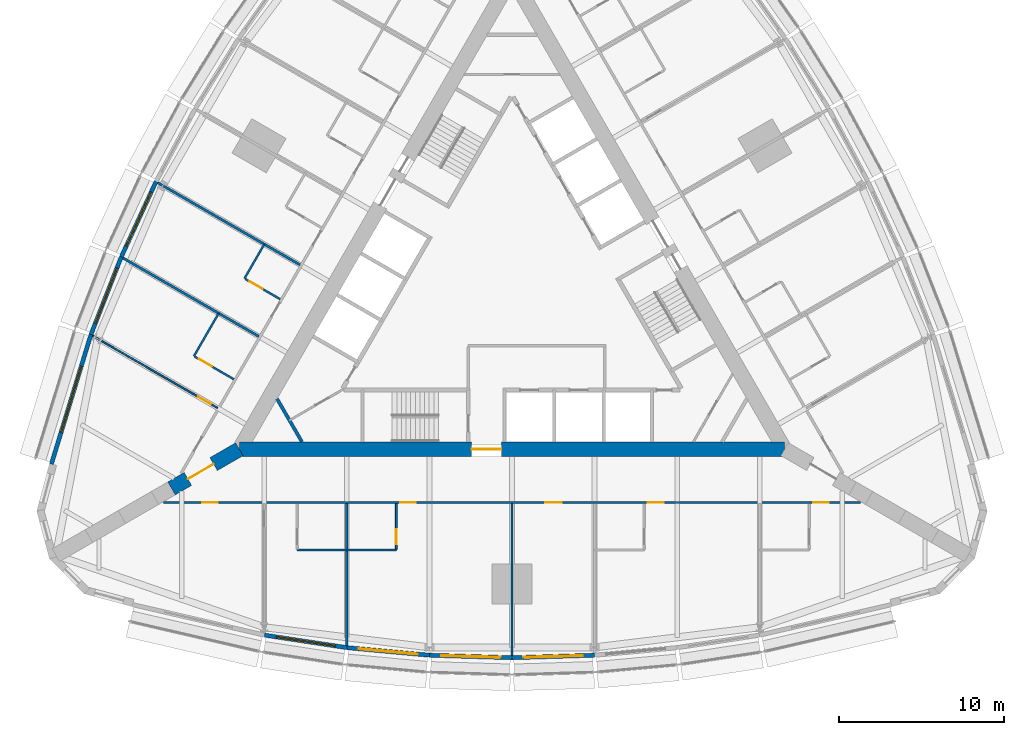
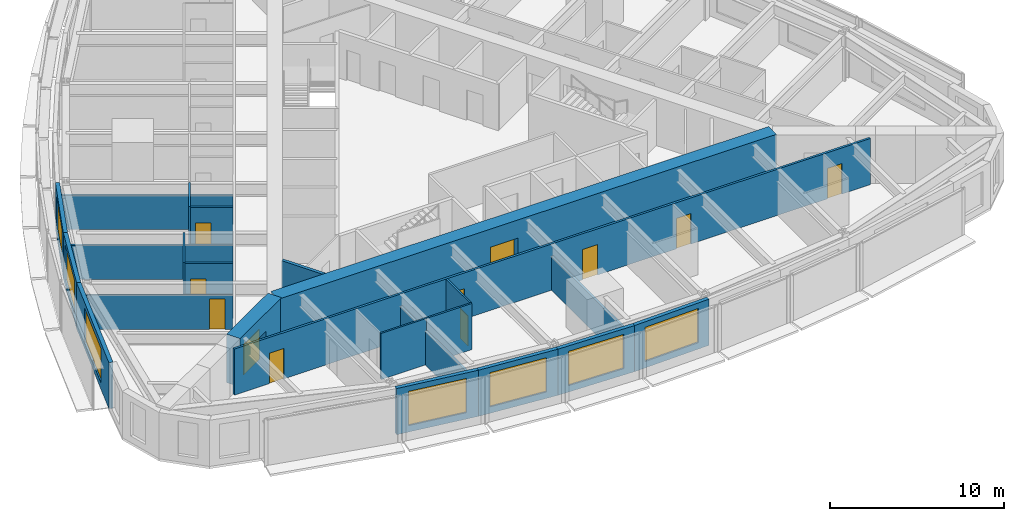
# One storey, part 8 of 14: 23 walls, 11 doors, 7 windows, 18 openings.
"""IFC4 building model written with IfcOpenShell, lengths in metres."""

from ifc_helpers import new_model, si_unit, direction, frame, frame_2d, origin, place, context, subcontext, project, spatial, rectangle, extrude, material, layer, layer_set, type_object, element, fill, save


model = new_model("IFC4")

# Units and contexts
model_context = context("Model", 3, precision=1e-05, world=origin(), true_north=direction((0.0, 1.0)))
body_context = subcontext(model_context, "Body", "Model", "MODEL_VIEW")
ifc_project = project(units=[si_unit("LENGTHUNIT", "METRE"), si_unit("AREAUNIT", "SQUARE_METRE"), si_unit("VOLUMEUNIT", "CUBIC_METRE"), si_unit("PLANEANGLEUNIT", "RADIAN"), si_unit("MASSUNIT", "GRAM", prefix="KILO")], contexts=[model_context])

# Site, building, storey
site_placement = place(None, origin())
site = spatial("IfcSite", under=ifc_project, at=site_placement, CompositionType="ELEMENT")
building_placement = place(site_placement, origin())
building = spatial("IfcBuilding", under=site, at=building_placement, Name="Trikona Tower", CompositionType="ELEMENT")
storey_placement = place(building_placement, frame((0.0, 0.0, 55.699951171875)))
storey = spatial("IfcBuildingStorey", under=building, at=storey_placement, Name="L13", CompositionType="ELEMENT", Elevation=55.699951171875)

# Walls
ifc_material_1 = material(Name="Metal stud and cement board", Category="gypsum")
ifc_layer_1 = layer(ifc_material_1, 0.1201171875)
ifc_layer_set_1 = layer_set([ifc_layer_1], Name="Bathroom wall 120")
wall_type_1 = type_object("IfcWallType", Name="Bathroom wall 120", PredefinedType="PLUMBINGWALL", material=ifc_layer_set_1)
for number, where, z_axis, x_axis, name in (
    (1, (-13.0, -15.626220703125, 0.0), (0.0, 0.0, 1.0), (1.0, 0.0, 0.0), "Bathroom wall 1301.1"),
    (2, (-10.0, -15.626220703125, 0.0), (0.0, 0.0, 1.0), (1.0, 0.0, 0.0), "Bathroom wall 1302"),
):
    element("IfcWall", number, at=place(storey_placement, frame(where, z_axis=z_axis, x_axis=x_axis)), inside=storey, type_object=wall_type_1, Name=name, PredefinedType="PLUMBINGWALL", context=body_context, shape_type="SweptSolid", body=[
        extrude(rectangle(XDim=3.0, YDim=0.1201171875, at=frame_2d((1.5, 0.0))), origin(), (0.0, 0.0, 1.0), 3.235107421875),
    ])

# Wall, opening, door
wall_1_placement = place(storey_placement, frame((-7.0, -12.826416015625, 0.0), z_axis=(0.0, 0.0, 1.0), x_axis=(0.0, -1.0, 0.0)))
wall_1 = element("IfcWall", 3, at=wall_1_placement, inside=storey, type_object=wall_type_1, Name="Bathroom wall 1302", PredefinedType="PLUMBINGWALL", context=body_context, shape_type="SweptSolid", body=[
    extrude(rectangle(XDim=2.739990234375, YDim=0.1201171875, at=frame_2d((1.3701171875, 0.0))), origin(), (0.0, 0.0, 1.0), 3.235107421875),
])
opening_1_placement = place(wall_1_placement, frame((1.550048828125, 0.0, 0.0)))
opening_1 = element("IfcOpeningElement", 4, at=opening_1_placement, cuts=wall_1, Name="Opening D2", PredefinedType="OPENING", context=body_context, shape_type="SweptSolid", body=[
    extrude(rectangle(XDim=0.89990234375, YDim=2.1298828125, at=frame_2d((0.449951171875, 1.06494140625))), frame((0.0, 0.070068359375, 0.0), z_axis=(0.0, -1.0, 0.0), x_axis=(1.0, 0.0, 0.0)), (0.0, 0.0, 1.0), 0.14013671875),
])
ifc_material_2 = material(Name="Steel door frame with solid-core timber leaf", Category="steel")
door_type_1 = type_object("IfcDoorType", Name="Bathroom door 900x2130", OperationType="SLIDING_TO_LEFT", PredefinedType="DOOR", material=ifc_material_2)
door_1_placement = place(opening_1_placement, origin())
door_1 = element("IfcDoor", 5, at=door_1_placement, inside=storey, type_object=door_type_1, Name="Bathroom door 1302", OperationType="SLIDING_TO_LEFT", OverallHeight=2.1298828125, OverallWidth=0.89990234375, PredefinedType="DOOR", context=body_context, shape_type="SweptSolid", body=[
    extrude(rectangle(XDim=0.89990234375, YDim=2.1298828125, at=frame_2d((0.449951171875, 1.06494140625))), frame((0.0, 0.02490234375, 0.0), z_axis=(0.0, -1.0, 0.0), x_axis=(1.0, 0.0, 0.0)), (0.0, 0.0, 1.0), 0.050048828125),
])
fill(opening_1, door_1)

# Wall
wall_2_placement = place(storey_placement, frame((-14.993408203125, 2.883056640625, 0.0), z_axis=(0.0, 0.0, 1.0), x_axis=(-0.500077600433, -0.865980596518, 0.0)))
element("IfcWall", 6, at=wall_2_placement, inside=storey, type_object=wall_type_1, Name="Bathroom wall 1315", PredefinedType="PLUMBINGWALL", context=body_context, shape_type="SweptSolid", body=[
    extrude(rectangle(XDim=2.39990234375, YDim=0.1201171875, at=frame_2d((1.199951171875, 0.0))), origin(), (0.0, 0.0, 1.0), 3.235107421875),
])

# Wall, opening, door
wall_3_placement = place(storey_placement, frame((-14.028564453125, -0.4453125, 0.0), z_axis=(0.0, 0.0, 1.0), x_axis=(-0.866023955769, 0.500002508028, 0.0)))
wall_3 = element("IfcWall", 7, at=wall_3_placement, inside=storey, type_object=wall_type_1, Name="Bathroom wall 1315", PredefinedType="PLUMBINGWALL", context=body_context, shape_type="SweptSolid", body=[
    extrude(rectangle(XDim=2.43994140625, YDim=0.1201171875, at=frame_2d((1.219970703125, 0.0))), origin(), (0.0, 0.0, 1.0), 3.235107421875),
])
opening_2_placement = place(wall_3_placement, frame((1.25, 0.0, 0.0)))
opening_2 = element("IfcOpeningElement", 8, at=opening_2_placement, cuts=wall_3, Name="Opening D2", PredefinedType="OPENING", context=body_context, shape_type="SweptSolid", body=[
    extrude(rectangle(XDim=0.89990234375, YDim=2.1298828125, at=frame_2d((0.449951171875, 1.06494140625))), frame((0.0, 0.070068359375, 0.0), z_axis=(0.0, -1.0, 0.0), x_axis=(1.0, 0.0, 0.0)), (0.0, 0.0, 1.0), 0.14013671875),
])
door_2_placement = place(opening_2_placement, origin())
door_2 = element("IfcDoor", 9, at=door_2_placement, inside=storey, type_object=door_type_1, Name="Bathroom door 1315", OperationType="SLIDING_TO_LEFT", OverallHeight=2.1298828125, OverallWidth=0.89990234375, PredefinedType="DOOR", context=body_context, shape_type="SweptSolid", body=[
    extrude(rectangle(XDim=0.89990234375, YDim=2.1298828125, at=frame_2d((0.449951171875, 1.06494140625))), frame((0.0, 0.02490234375, 0.0), z_axis=(0.0, -1.0, 0.0), x_axis=(1.0, 0.0, 0.0)), (0.0, 0.0, 1.0), 0.050048828125),
])
fill(opening_2, door_2)

# Wall
wall_4_placement = place(storey_placement, frame((-17.75341796875, -1.297119140625, 0.0), z_axis=(0.0, 0.0, 1.0), x_axis=(-0.499990139034, -0.866031096941, 0.0)))
element("IfcWall", 10, at=wall_4_placement, inside=storey, type_object=wall_type_1, Name="Bathroom wall 1316.1", PredefinedType="PLUMBINGWALL", context=body_context, shape_type="SweptSolid", body=[
    extrude(rectangle(XDim=3.0, YDim=0.1201171875, at=frame_2d((1.5, 0.0))), origin(), (0.0, 0.0, 1.0), 3.235107421875),
])

# Wall, opening, door
wall_5_placement = place(storey_placement, frame((-16.82861328125, -5.295166015625, 0.0), z_axis=(0.0, 0.0, 1.0), x_axis=(-0.866035715982, 0.499982138324, 0.0)))
wall_5 = element("IfcWall", 11, at=wall_5_placement, inside=storey, type_object=wall_type_1, Name="Bathroom wall 1316.1", PredefinedType="PLUMBINGWALL", context=body_context, shape_type="SweptSolid", body=[
    extrude(rectangle(XDim=2.73974609375, YDim=0.1201171875, at=frame_2d((1.369873046875, 0.0))), origin(), (0.0, 0.0, 1.0), 3.235107421875),
])
opening_3_placement = place(wall_5_placement, frame((1.550048828125, 0.0, 0.0)))
opening_3 = element("IfcOpeningElement", 12, at=opening_3_placement, cuts=wall_5, Name="Opening D2", PredefinedType="OPENING", context=body_context, shape_type="SweptSolid", body=[
    extrude(rectangle(XDim=0.89990234375, YDim=2.1298828125, at=frame_2d((0.449951171875, 1.06494140625))), frame((0.0, 0.070068359375, 0.0), z_axis=(0.0, -1.0, 0.0), x_axis=(1.0, 0.0, 0.0)), (0.0, 0.0, 1.0), 0.14013671875),
])
door_3_placement = place(opening_3_placement, origin())
door_3 = element("IfcDoor", 13, at=door_3_placement, inside=storey, type_object=door_type_1, Name="Bathroom door 1316.1", OperationType="SLIDING_TO_LEFT", OverallHeight=2.1298828125, OverallWidth=0.89990234375, PredefinedType="DOOR", context=body_context, shape_type="SweptSolid", body=[
    extrude(rectangle(XDim=0.89990234375, YDim=2.1298828125, at=frame_2d((0.449951171875, 1.06494140625))), frame((0.0, 0.02490234375, 0.0), z_axis=(0.0, -1.0, 0.0), x_axis=(1.0, 0.0, 0.0)), (0.0, 0.0, 1.0), 0.050048828125),
])
fill(opening_3, door_3)

ifc_material_3 = material(Name="Concrete f'c 10000 psi", Category="concrete")
ifc_layer_2 = layer(ifc_material_3, 0.89990234375)
ifc_layer_set_2 = layer_set([ifc_layer_2], Name="Buttress wall 900")
wall_type_2 = type_object("IfcWallType", Name="Buttress wall 900", PredefinedType="SHEAR", material=ifc_layer_set_2)
wall_6_placement = place(storey_placement, frame((-16.5, -9.5263671875, 0.0), z_axis=(0.0, 0.0, 1.0), x_axis=(-0.866031398331, -0.499989616998, 0.0)))
wall_6 = element("IfcWall", 14, at=wall_6_placement, inside=storey, type_object=wall_type_2, Name="Buttress wall 3", PredefinedType="SHEAR", context=body_context, shape_type="SweptSolid", body=[
    extrude(rectangle(XDim=4.74609375, YDim=0.89990234375, at=frame_2d((2.373046875, 0.0))), origin(), (0.0, 0.0, 1.0), 3.400146484375),
])
opening_4_placement = place(wall_6_placement, frame((1.800048828125, 0.0, 0.0)))
opening_4 = element("IfcOpeningElement", 15, at=opening_4_placement, cuts=wall_6, Name="Opening D10", PredefinedType="OPENING", context=body_context, shape_type="SweptSolid", body=[
    extrude(rectangle(XDim=1.800048828125, YDim=2.1298828125, at=frame_2d((0.89990234375, 1.06494140625))), frame((0.0, 0.4599609375, 0.0), z_axis=(0.0, -1.0, 0.0), x_axis=(1.0, 0.0, 0.0)), (0.0, 0.0, 1.0), 0.919921875),
])
ifc_material_4 = material(Name="Hollow metal door and frame", Category="steel")
door_type_2 = type_object("IfcDoorType", Name="Cross-corridor door pair 1800x2130", OperationType="DOUBLE_DOOR_DOUBLE_SWING", PredefinedType="DOOR", material=ifc_material_4)
door_4_placement = place(opening_4_placement, origin())
door_4 = element("IfcDoor", 16, at=door_4_placement, inside=storey, type_object=door_type_2, Name="Cross-corridor door 3", OperationType="DOUBLE_DOOR_DOUBLE_SWING", OverallHeight=2.1298828125, OverallWidth=1.800048828125, PredefinedType="DOOR", context=body_context, shape_type="SweptSolid", body=[
    extrude(rectangle(XDim=1.800048828125, YDim=2.1298828125, at=frame_2d((0.89990234375, 1.06494140625))), frame((0.0, 0.02490234375, 0.0), z_axis=(0.0, -1.0, 0.0), x_axis=(1.0, 0.0, 0.0)), (0.0, 0.0, 1.0), 0.050048828125),
])
fill(opening_4, door_4)

ifc_material_5 = material(Name="Concrete f'c 10000 psi", Category="concrete")
ifc_layer_3 = layer(ifc_material_5, 0.89990234375)
ifc_layer_set_3 = layer_set([ifc_layer_3], Name="Core wall 900")
wall_type_3 = type_object("IfcWallType", Name="Core wall 900", PredefinedType="SHEAR", material=ifc_layer_set_3)
wall_7_placement = place(storey_placement, frame((-16.5, -9.5263671875, 0.0), z_axis=(0.0, 0.0, 1.0), x_axis=(1.0, 0.0, 0.0)))
wall_7 = element("IfcWall", 17, at=wall_7_placement, inside=storey, type_object=wall_type_3, Name="Core wall A", PredefinedType="SHEAR", context=body_context, shape_type="SweptSolid", body=[
    extrude(rectangle(XDim=33.0, YDim=0.89990234375, at=frame_2d((16.5, 0.0))), origin(), (0.0, 0.0, 1.0), 3.400146484375),
])
opening_5_placement = place(wall_7_placement, frame((14.050048828125, 0.0, 0.0)))
opening_5 = element("IfcOpeningElement", 18, at=opening_5_placement, cuts=wall_7, Name="Opening D6", PredefinedType="OPENING", context=body_context, shape_type="SweptSolid", body=[
    extrude(rectangle(XDim=1.800048828125, YDim=2.1298828125, at=frame_2d((0.89990234375, 1.06494140625))), frame((0.0, 0.4599609375, 0.0), z_axis=(0.0, -1.0, 0.0), x_axis=(1.0, 0.0, 0.0)), (0.0, 0.0, 1.0), 0.919921875),
])
ifc_material_6 = material(Name="Hollow metal door and frame", Category="steel")
door_type_3 = type_object("IfcDoorType", Name="Lobby door pair 1800x2130", OperationType="DOUBLE_DOOR_SINGLE_SWING", PredefinedType="DOOR", material=ifc_material_6)
door_5_placement = place(opening_5_placement, origin())
door_5 = element("IfcDoor", 19, at=door_5_placement, inside=storey, type_object=door_type_3, Name="Fire service lift lobby door", OperationType="DOUBLE_DOOR_SINGLE_SWING", OverallHeight=2.1298828125, OverallWidth=1.800048828125, PredefinedType="DOOR", context=body_context, shape_type="SweptSolid", body=[
    extrude(rectangle(XDim=1.800048828125, YDim=2.1298828125, at=frame_2d((0.89990234375, 1.06494140625))), frame((0.0, 0.02490234375, 0.0), z_axis=(0.0, -1.0, 0.0), x_axis=(1.0, 0.0, 0.0)), (0.0, 0.0, 1.0), 0.050048828125),
])
fill(opening_5, door_5)

# Wall, openings, doors
ifc_material_7 = material(Name="Metal stud and gypsum board, 1-hour", Category="gypsum")
ifc_layer_4 = layer(ifc_material_7, 0.14990234375)
ifc_layer_set_4 = layer_set([ifc_layer_4], Name="Corridor wall 150")
wall_type_4 = type_object("IfcWallType", Name="Corridor wall 150", PredefinedType="PARTITIONING", material=ifc_layer_set_4)
wall_8_placement = place(storey_placement, frame((-21.0859375, -12.751220703125, 0.0), z_axis=(0.0, 0.0, 1.0), x_axis=(1.0, 0.0, 0.0)))
wall_8 = element("IfcWall", 20, at=wall_8_placement, inside=storey, type_object=wall_type_4, Name="Corridor wall L13-1", PredefinedType="PARTITIONING", context=body_context, shape_type="SweptSolid", body=[
    extrude(rectangle(XDim=42.171875, YDim=0.14990234375, at=frame_2d((21.0859375, 0.0))), origin(), (0.0, 0.0, 1.0), 3.235107421875),
])
opening_6_placement = place(wall_8_placement, frame((2.337646484375, 0.0, 0.0)))
opening_6 = element("IfcOpeningElement", 21, at=opening_6_placement, cuts=wall_8, Name="Opening D1", PredefinedType="OPENING", context=body_context, shape_type="SweptSolid", body=[
    extrude(rectangle(XDim=0.949951171875, YDim=2.1298828125, at=frame_2d((0.47509765625, 1.06494140625))), frame((0.0, 0.0849609375, 0.0), z_axis=(0.0, -1.0, 0.0), x_axis=(1.0, 0.0, 0.0)), (0.0, 0.0, 1.0), 0.169921875),
])
opening_7_placement = place(wall_8_placement, frame((14.310791015625, 0.0, 0.0)))
opening_7 = element("IfcOpeningElement", 22, at=opening_7_placement, cuts=wall_8, Name="Opening D1", PredefinedType="OPENING", context=body_context, shape_type="SweptSolid", body=[
    extrude(rectangle(XDim=0.949951171875, YDim=2.1298828125, at=frame_2d((0.47509765625, 1.06494140625))), frame((0.0, 0.0849609375, 0.0), z_axis=(0.0, -1.0, 0.0), x_axis=(1.0, 0.0, 0.0)), (0.0, 0.0, 1.0), 0.169921875),
])
opening_8_placement = place(wall_8_placement, frame((23.0859375, 0.0, 0.0)))
opening_8 = element("IfcOpeningElement", 23, at=opening_8_placement, cuts=wall_8, Name="Opening D3", PredefinedType="OPENING", context=body_context, shape_type="SweptSolid", body=[
    extrude(rectangle(XDim=1.0, YDim=2.1298828125, at=frame_2d((0.5, 1.06494140625))), frame((0.0, 0.0849609375, 0.0), z_axis=(0.0, -1.0, 0.0), x_axis=(1.0, 0.0, 0.0)), (0.0, 0.0, 1.0), 0.169921875),
])
opening_9_placement = place(wall_8_placement, frame((29.310791015625, 0.0, 0.0)))
opening_9 = element("IfcOpeningElement", 24, at=opening_9_placement, cuts=wall_8, Name="Opening D1", PredefinedType="OPENING", context=body_context, shape_type="SweptSolid", body=[
    extrude(rectangle(XDim=0.949951171875, YDim=2.1298828125, at=frame_2d((0.47509765625, 1.06494140625))), frame((0.0, 0.0849609375, 0.0), z_axis=(0.0, -1.0, 0.0), x_axis=(1.0, 0.0, 0.0)), (0.0, 0.0, 1.0), 0.169921875),
])
opening_10_placement = place(wall_8_placement, frame((39.310791015625, 0.0, 0.0)))
opening_10 = element("IfcOpeningElement", 25, at=opening_10_placement, cuts=wall_8, Name="Opening D1", PredefinedType="OPENING", context=body_context, shape_type="SweptSolid", body=[
    extrude(rectangle(XDim=0.949951171875, YDim=2.1298828125, at=frame_2d((0.47509765625, 1.06494140625))), frame((0.0, 0.0849609375, 0.0), z_axis=(0.0, -1.0, 0.0), x_axis=(1.0, 0.0, 0.0)), (0.0, 0.0, 1.0), 0.169921875),
])
ifc_material_8 = material(Name="Steel door frame with solid-core timber leaf", Category="steel")
door_type_4 = type_object("IfcDoorType", Name="Guest room door 950x2130", OperationType="SINGLE_SWING_LEFT", PredefinedType="DOOR", material=ifc_material_8)
door_6_placement = place(opening_6_placement, origin())
door_6 = element("IfcDoor", 26, at=door_6_placement, inside=storey, type_object=door_type_4, Name="Room door 1301", OperationType="SINGLE_SWING_LEFT", OverallHeight=2.1298828125, OverallWidth=0.949951171875, PredefinedType="DOOR", context=body_context, shape_type="SweptSolid", body=[
    extrude(rectangle(XDim=0.949951171875, YDim=2.1298828125, at=frame_2d((0.47509765625, 1.06494140625))), frame((0.0, 0.02490234375, 0.0), z_axis=(0.0, -1.0, 0.0), x_axis=(1.0, 0.0, 0.0)), (0.0, 0.0, 1.0), 0.050048828125),
])
fill(opening_6, door_6)
door_7_placement = place(opening_7_placement, origin())
door_7 = element("IfcDoor", 27, at=door_7_placement, inside=storey, type_object=door_type_4, Name="Room door 1302", OperationType="SINGLE_SWING_RIGHT", OverallHeight=2.1298828125, OverallWidth=0.949951171875, PredefinedType="DOOR", context=body_context, shape_type="SweptSolid", body=[
    extrude(rectangle(XDim=0.949951171875, YDim=2.1298828125, at=frame_2d((0.47509765625, 1.06494140625))), frame((0.0, 0.02490234375, 0.0), z_axis=(0.0, -1.0, 0.0), x_axis=(1.0, 0.0, 0.0)), (0.0, 0.0, 1.0), 0.050048828125),
])
fill(opening_7, door_7)
door_8_placement = place(opening_9_placement, origin())
door_8 = element("IfcDoor", 28, at=door_8_placement, inside=storey, type_object=door_type_4, Name="Room door 1303", OperationType="SINGLE_SWING_RIGHT", OverallHeight=2.1298828125, OverallWidth=0.949951171875, PredefinedType="DOOR", context=body_context, shape_type="SweptSolid", body=[
    extrude(rectangle(XDim=0.949951171875, YDim=2.1298828125, at=frame_2d((0.47509765625, 1.06494140625))), frame((0.0, 0.02490234375, 0.0), z_axis=(0.0, -1.0, 0.0), x_axis=(1.0, 0.0, 0.0)), (0.0, 0.0, 1.0), 0.050048828125),
])
fill(opening_9, door_8)
door_9_placement = place(opening_10_placement, origin())
door_9 = element("IfcDoor", 29, at=door_9_placement, inside=storey, type_object=door_type_4, Name="Room door 1304", OperationType="SINGLE_SWING_RIGHT", OverallHeight=2.1298828125, OverallWidth=0.949951171875, PredefinedType="DOOR", context=body_context, shape_type="SweptSolid", body=[
    extrude(rectangle(XDim=0.949951171875, YDim=2.1298828125, at=frame_2d((0.47509765625, 1.06494140625))), frame((0.0, 0.02490234375, 0.0), z_axis=(0.0, -1.0, 0.0), x_axis=(1.0, 0.0, 0.0)), (0.0, 0.0, 1.0), 0.050048828125),
])
fill(opening_10, door_9)
ifc_material_9 = material(Name="Steel door frame with solid-core timber leaf", Category="steel")
door_type_5 = type_object("IfcDoorType", Name="Room door 1000x2130", OperationType="SINGLE_SWING_LEFT", PredefinedType="DOOR", material=ifc_material_9)
door_10_placement = place(opening_8_placement, origin())
door_10 = element("IfcDoor", 30, at=door_10_placement, inside=storey, type_object=door_type_5, Name="Door Housekeeping pantry", OperationType="SINGLE_SWING_LEFT", OverallHeight=2.1298828125, OverallWidth=1.0, PredefinedType="DOOR", context=body_context, shape_type="SweptSolid", body=[
    extrude(rectangle(XDim=1.0, YDim=2.1298828125, at=frame_2d((0.5, 1.06494140625))), frame((0.0, 0.02490234375, 0.0), z_axis=(0.0, -1.0, 0.0), x_axis=(1.0, 0.0, 0.0)), (0.0, 0.0, 1.0), 0.050048828125),
])
fill(opening_8, door_10)

# Wall, opening, window
ifc_material_10 = material(Name="Insulated precast concrete spandrel panel", Category="concrete")
ifc_layer_5 = layer(ifc_material_10, 0.25)
ifc_layer_set_5 = layer_set([ifc_layer_5], Name="Inner skin wall 250")
wall_type_5 = type_object("IfcWallType", Name="Inner skin wall 250", PredefinedType="STANDARD", material=ifc_layer_set_5)
wall_9_placement = place(storey_placement, frame((-14.981201171875, -20.779296875, 0.0), z_axis=(0.0, 0.0, 1.0), x_axis=(0.988615403399, -0.150464561152, 0.0)))
wall_9 = element("IfcWall", 31, at=wall_9_placement, inside=storey, type_object=wall_type_5, Name="External wall L13-01", PredefinedType="STANDARD", context=body_context, shape_type="SweptSolid", body=[
    extrude(rectangle(XDim=5.0576171875, YDim=0.25, at=frame_2d((2.52880859375, 0.0))), origin(), (0.0, 0.0, 1.0), 3.235107421875),
])
opening_11_placement = place(wall_9_placement, frame((0.728759765625, 0.0, 0.449951171875)))
opening_11 = element("IfcOpeningElement", 32, at=opening_11_placement, cuts=wall_9, Name="Opening W3624", PredefinedType="OPENING", context=body_context, shape_type="SweptSolid", body=[
    extrude(rectangle(XDim=3.60009765625, YDim=2.39990234375, at=frame_2d((1.800048828125, 1.199951171875))), frame((0.0, 0.135009765625, 0.0), z_axis=(0.0, -1.0, 0.0), x_axis=(1.0, 0.0, 0.0)), (0.0, 0.0, 1.0), 0.27001953125),
])
ifc_material_11 = material(Name="Aluminium-framed double glazing", Category="aluminium")
window_type_1 = type_object("IfcWindowType", Name="Window 3600x2400", PartitioningType="SINGLE_PANEL", PredefinedType="WINDOW", material=ifc_material_11)
window_1_placement = place(opening_11_placement, origin())
window_1 = element("IfcWindow", 33, at=window_1_placement, inside=storey, type_object=window_type_1, Name="Window 1301.1", OverallHeight=2.39990234375, OverallWidth=3.60009765625, PartitioningType="SINGLE_PANEL", PredefinedType="WINDOW", context=body_context, shape_type="SweptSolid", body=[
    extrude(rectangle(XDim=3.60009765625, YDim=2.39990234375, at=frame_2d((1.800048828125, 1.199951171875))), frame((0.0, 0.030029296875, 0.0), z_axis=(0.0, -1.0, 0.0), x_axis=(1.0, 0.0, 0.0)), (0.0, 0.0, 1.0), 0.06005859375),
])
fill(opening_11, window_1)

wall_10_placement = place(storey_placement, frame((-9.988525390625, -21.539306640625, 0.0), z_axis=(0.0, 0.0, 1.0), x_axis=(0.995857256774, -0.090930325692, 0.0)))
wall_10 = element("IfcWall", 34, at=wall_10_placement, inside=storey, type_object=wall_type_5, Name="External wall L13-02", PredefinedType="STANDARD", context=body_context, shape_type="SweptSolid", body=[
    extrude(rectangle(XDim=5.020751953125, YDim=0.25, at=frame_2d((2.51025390625, 0.0))), origin(), (0.0, 0.0, 1.0), 3.235107421875),
])
opening_12_placement = place(wall_10_placement, frame((0.71044921875, 0.0, 0.449951171875)))
opening_12 = element("IfcOpeningElement", 35, at=opening_12_placement, cuts=wall_10, Name="Opening W3624", PredefinedType="OPENING", context=body_context, shape_type="SweptSolid", body=[
    extrude(rectangle(XDim=3.60009765625, YDim=2.39990234375, at=frame_2d((1.800048828125, 1.199951171875))), frame((0.0, 0.135009765625, 0.0), z_axis=(0.0, -1.0, 0.0), x_axis=(1.0, 0.0, 0.0)), (0.0, 0.0, 1.0), 0.27001953125),
])
window_2_placement = place(opening_12_placement, origin())
window_2 = element("IfcWindow", 36, at=window_2_placement, inside=storey, type_object=window_type_1, Name="Window 1302", OverallHeight=2.39990234375, OverallWidth=3.60009765625, PartitioningType="SINGLE_PANEL", PredefinedType="WINDOW", context=body_context, shape_type="SweptSolid", body=[
    extrude(rectangle(XDim=3.60009765625, YDim=2.39990234375, at=frame_2d((1.800048828125, 1.199951171875))), frame((0.0, 0.030029296875, 0.0), z_axis=(0.0, -1.0, 0.0), x_axis=(1.0, 0.0, 0.0)), (0.0, 0.0, 1.0), 0.06005859375),
])
fill(opening_12, window_2)

wall_11_placement = place(storey_placement, frame((-4.99609375, -21.99560546875, 0.0), z_axis=(0.0, 0.0, 1.0), x_axis=(0.999537635046, -0.030405856769, 0.0)))
wall_11 = element("IfcWall", 37, at=wall_11_placement, inside=storey, type_object=wall_type_5, Name="External wall L13-03", PredefinedType="STANDARD", context=body_context, shape_type="SweptSolid", body=[
    extrude(rectangle(XDim=5.002197265625, YDim=0.25, at=frame_2d((2.5009765625, 0.0))), origin(), (0.0, 0.0, 1.0), 3.235107421875),
])
opening_13_placement = place(wall_11_placement, frame((0.701171875, 0.0, 0.449951171875)))
opening_13 = element("IfcOpeningElement", 38, at=opening_13_placement, cuts=wall_11, Name="Opening W3624", PredefinedType="OPENING", context=body_context, shape_type="SweptSolid", body=[
    extrude(rectangle(XDim=3.60009765625, YDim=2.39990234375, at=frame_2d((1.800048828125, 1.199951171875))), frame((0.0, 0.135009765625, 0.0), z_axis=(0.0, -1.0, 0.0), x_axis=(1.0, 0.0, 0.0)), (0.0, 0.0, 1.0), 0.27001953125),
])
window_3_placement = place(opening_13_placement, origin())
window_3 = element("IfcWindow", 39, at=window_3_placement, inside=storey, type_object=window_type_1, Name="Window 1302", OverallHeight=2.39990234375, OverallWidth=3.60009765625, PartitioningType="SINGLE_PANEL", PredefinedType="WINDOW", context=body_context, shape_type="SweptSolid", body=[
    extrude(rectangle(XDim=3.60009765625, YDim=2.39990234375, at=frame_2d((1.800048828125, 1.199951171875))), frame((0.0, 0.030029296875, 0.0), z_axis=(0.0, -1.0, 0.0), x_axis=(1.0, 0.0, 0.0)), (0.0, 0.0, 1.0), 0.06005859375),
])
fill(opening_13, window_3)

wall_12_placement = place(storey_placement, frame((-0.00390625, -22.147705078125, 0.0), z_axis=(0.0, 0.0, 1.0), x_axis=(0.999537635046, 0.030405856769, 0.0)))
wall_12 = element("IfcWall", 40, at=wall_12_placement, inside=storey, type_object=wall_type_5, Name="External wall L13-04", PredefinedType="STANDARD", context=body_context, shape_type="SweptSolid", body=[
    extrude(rectangle(XDim=5.002197265625, YDim=0.25, at=frame_2d((2.5009765625, 0.0))), origin(), (0.0, 0.0, 1.0), 3.235107421875),
])
opening_14_placement = place(wall_12_placement, frame((0.701171875, 0.0, 0.449951171875)))
opening_14 = element("IfcOpeningElement", 41, at=opening_14_placement, cuts=wall_12, Name="Opening W3624", PredefinedType="OPENING", context=body_context, shape_type="SweptSolid", body=[
    extrude(rectangle(XDim=3.60009765625, YDim=2.39990234375, at=frame_2d((1.800048828125, 1.199951171875))), frame((0.0, 0.135009765625, 0.0), z_axis=(0.0, -1.0, 0.0), x_axis=(1.0, 0.0, 0.0)), (0.0, 0.0, 1.0), 0.27001953125),
])
window_4_placement = place(opening_14_placement, origin())
window_4 = element("IfcWindow", 42, at=window_4_placement, inside=storey, type_object=window_type_1, Name="Window L13-HKP", OverallHeight=2.39990234375, OverallWidth=3.60009765625, PartitioningType="SINGLE_PANEL", PredefinedType="WINDOW", context=body_context, shape_type="SweptSolid", body=[
    extrude(rectangle(XDim=3.60009765625, YDim=2.39990234375, at=frame_2d((1.800048828125, 1.199951171875))), frame((0.0, 0.030029296875, 0.0), z_axis=(0.0, -1.0, 0.0), x_axis=(1.0, 0.0, 0.0)), (0.0, 0.0, 1.0), 0.06005859375),
])
fill(opening_14, window_4)

wall_13_placement = place(storey_placement, frame((-21.543212890625, 6.677734375, 0.0), z_axis=(0.0, 0.0, 1.0), x_axis=(-0.419203100754, -0.907892482796, 0.0)))
wall_13 = element("IfcWall", 43, at=wall_13_placement, inside=storey, type_object=wall_type_5, Name="External wall L13-29", PredefinedType="STANDARD", context=body_context, shape_type="SweptSolid", body=[
    extrude(rectangle(XDim=5.020751953125, YDim=0.25, at=frame_2d((2.51025390625, 0.0))), origin(), (0.0, 0.0, 1.0), 3.235107421875),
])
opening_15_placement = place(wall_13_placement, frame((0.71044921875, 0.0, 0.449951171875)))
opening_15 = element("IfcOpeningElement", 44, at=opening_15_placement, cuts=wall_13, Name="Opening W3624", PredefinedType="OPENING", context=body_context, shape_type="SweptSolid", body=[
    extrude(rectangle(XDim=3.60009765625, YDim=2.39990234375, at=frame_2d((1.800048828125, 1.199951171875))), frame((0.0, 0.135009765625, 0.0), z_axis=(0.0, -1.0, 0.0), x_axis=(1.0, 0.0, 0.0)), (0.0, 0.0, 1.0), 0.27001953125),
])
window_5_placement = place(opening_15_placement, origin())
window_5 = element("IfcWindow", 45, at=window_5_placement, inside=storey, type_object=window_type_1, Name="Window 1315", OverallHeight=2.39990234375, OverallWidth=3.60009765625, PartitioningType="SINGLE_PANEL", PredefinedType="WINDOW", context=body_context, shape_type="SweptSolid", body=[
    extrude(rectangle(XDim=3.60009765625, YDim=2.39990234375, at=frame_2d((1.800048828125, 1.199951171875))), frame((0.0, 0.030029296875, 0.0), z_axis=(0.0, -1.0, 0.0), x_axis=(1.0, 0.0, 0.0)), (0.0, 0.0, 1.0), 0.06005859375),
])
fill(opening_15, window_5)

wall_14_placement = place(storey_placement, frame((-23.64501953125, 2.126220703125, 0.0), z_axis=(0.0, 0.0, 1.0), x_axis=(-0.364013463868, -0.931393685894, 0.0)))
wall_14 = element("IfcWall", 46, at=wall_14_placement, inside=storey, type_object=wall_type_5, Name="External wall L13-30", PredefinedType="STANDARD", context=body_context, shape_type="SweptSolid", body=[
    extrude(rectangle(XDim=5.0576171875, YDim=0.25, at=frame_2d((2.52880859375, 0.0))), origin(), (0.0, 0.0, 1.0), 3.235107421875),
])
opening_16_placement = place(wall_14_placement, frame((0.728759765625, 0.0, 0.449951171875)))
opening_16 = element("IfcOpeningElement", 47, at=opening_16_placement, cuts=wall_14, Name="Opening W3624", PredefinedType="OPENING", context=body_context, shape_type="SweptSolid", body=[
    extrude(rectangle(XDim=3.60009765625, YDim=2.39990234375, at=frame_2d((1.800048828125, 1.199951171875))), frame((0.0, 0.135009765625, 0.0), z_axis=(0.0, -1.0, 0.0), x_axis=(1.0, 0.0, 0.0)), (0.0, 0.0, 1.0), 0.27001953125),
])
window_6_placement = place(opening_16_placement, origin())
window_6 = element("IfcWindow", 48, at=window_6_placement, inside=storey, type_object=window_type_1, Name="Window 1316.1", OverallHeight=2.39990234375, OverallWidth=3.60009765625, PartitioningType="SINGLE_PANEL", PredefinedType="WINDOW", context=body_context, shape_type="SweptSolid", body=[
    extrude(rectangle(XDim=3.60009765625, YDim=2.39990234375, at=frame_2d((1.800048828125, 1.199951171875))), frame((0.0, 0.030029296875, 0.0), z_axis=(0.0, -1.0, 0.0), x_axis=(1.0, 0.0, 0.0)), (0.0, 0.0, 1.0), 0.06005859375),
])
fill(opening_16, window_6)

wall_15_placement = place(storey_placement, frame((-25.48291015625, -2.575439453125, 0.0), z_axis=(0.0, 0.0, 1.0), x_axis=(-0.2919790669, -0.956424709265, 0.0)))
wall_15 = element("IfcWall", 49, at=wall_15_placement, inside=storey, type_object=wall_type_5, Name="External wall L13-31", PredefinedType="STANDARD", context=body_context, shape_type="SweptSolid", body=[
    extrude(rectangle(XDim=8.211181640625, YDim=0.25, at=frame_2d((4.10546875, 0.0))), origin(), (0.0, 0.0, 1.0), 3.235107421875),
])
opening_17_placement = place(wall_15_placement, frame((2.005615234375, 0.0, 0.449951171875)))
opening_17 = element("IfcOpeningElement", 50, at=opening_17_placement, cuts=wall_15, Name="Opening W4224", PredefinedType="OPENING", context=body_context, shape_type="SweptSolid", body=[
    extrude(rectangle(XDim=4.199951171875, YDim=2.39990234375, at=frame_2d((2.10009765625, 1.199951171875))), frame((0.0, 0.135009765625, 0.0), z_axis=(0.0, -1.0, 0.0), x_axis=(1.0, 0.0, 0.0)), (0.0, 0.0, 1.0), 0.27001953125),
])
ifc_material_12 = material(Name="Aluminium-framed double glazing", Category="aluminium")
window_type_2 = type_object("IfcWindowType", Name="Window 4200x2400", PartitioningType="SINGLE_PANEL", PredefinedType="WINDOW", material=ifc_material_12)
window_7_placement = place(opening_17_placement, origin())
window_7 = element("IfcWindow", 51, at=window_7_placement, inside=storey, type_object=window_type_2, Name="Window 1316", OverallHeight=2.39990234375, OverallWidth=4.199951171875, PartitioningType="SINGLE_PANEL", PredefinedType="WINDOW", context=body_context, shape_type="SweptSolid", body=[
    extrude(rectangle(XDim=4.199951171875, YDim=2.39990234375, at=frame_2d((2.10009765625, 1.199951171875))), frame((0.0, 0.030029296875, 0.0), z_axis=(0.0, -1.0, 0.0), x_axis=(1.0, 0.0, 0.0)), (0.0, 0.0, 1.0), 0.06005859375),
])
fill(opening_17, window_7)

# Walls
ifc_material_13 = material(Name="Metal stud and gypsum board, 1-hour acoustic", Category="gypsum")
ifc_layer_6 = layer(ifc_material_13, 0.14990234375)
ifc_layer_set_6 = layer_set([ifc_layer_6], Name="Party wall 150")
wall_type_6 = type_object("IfcWallType", Name="Party wall 150", PredefinedType="PARTITIONING", material=ifc_layer_set_6)
wall_16_placement = place(storey_placement, frame((-10.0, -12.826416015625, 0.0), z_axis=(0.0, 0.0, 1.0), x_axis=(0.0, -1.0, 0.0)))
element("IfcWall", 52, at=wall_16_placement, inside=storey, type_object=wall_type_6, Name="Partition L13 F1 u-10", PredefinedType="PARTITIONING", context=body_context, shape_type="SweptSolid", body=[
    extrude(rectangle(XDim=8.58447265625, YDim=0.14990234375, at=frame_2d((4.292236328125, 0.0))), origin(), (0.0, 0.0, 1.0), 2.38916015625),
])
wall_17_placement = place(storey_placement, frame((0.0, -12.826416015625, 0.0), z_axis=(0.0, 0.0, 1.0), x_axis=(0.0, -1.0, 0.0)))
element("IfcWall", 53, at=wall_17_placement, inside=storey, type_object=wall_type_6, Name="Partition L13 F1 u-1.03538e-30", PredefinedType="PARTITIONING", context=body_context, shape_type="SweptSolid", body=[
    extrude(rectangle(XDim=9.196044921875, YDim=0.14990234375, at=frame_2d((4.59814453125, 0.0))), origin(), (0.0, 0.0, 1.0), 2.38916015625),
])
wall_18_placement = place(storey_placement, frame((-12.82861328125, 1.633056640625, 0.0), z_axis=(0.0, 0.0, 1.0), x_axis=(-0.866026934769, 0.499997348248, 0.0)))
element("IfcWall", 54, at=wall_18_placement, inside=storey, type_object=wall_type_6, Name="Partition L13 F3 u5", PredefinedType="PARTITIONING", context=body_context, shape_type="SweptSolid", body=[
    extrude(rectangle(XDim=9.94287109375, YDim=0.14990234375, at=frame_2d((4.971435546875, 0.0))), origin(), (0.0, 0.0, 1.0), 2.38916015625),
])
wall_19_placement = place(storey_placement, frame((-15.32861328125, -2.697021484375, 0.0), z_axis=(0.0, 0.0, 1.0), x_axis=(-0.866018409083, 0.500012114982, 0.0)))
element("IfcWall", 55, at=wall_19_placement, inside=storey, type_object=wall_type_6, Name="Partition L13 F3 u10", PredefinedType="PARTITIONING", context=body_context, shape_type="SweptSolid", body=[
    extrude(rectangle(XDim=9.484619140625, YDim=0.14990234375, at=frame_2d((4.7421875, 0.0))), origin(), (0.0, 0.0, 1.0), 2.38916015625),
])
ifc_material_14 = material(Name="Concrete f'c 8000 psi", Category="concrete")
ifc_layer_7 = layer(ifc_material_14, 0.199951171875)
ifc_layer_set_7 = layer_set([ifc_layer_7], Name="Shaft wall 200")
wall_type_7 = type_object("IfcWallType", Name="Shaft wall 200", PredefinedType="SOLIDWALL", material=ifc_layer_set_7)
wall_20_placement = place(storey_placement, frame((-12.718505859375, -9.076416015625, 0.0), z_axis=(0.0, 0.0, 1.0), x_axis=(-0.499952404951, 0.866052881055, 0.0)))
element("IfcWall", 56, at=wall_20_placement, inside=storey, type_object=wall_type_7, Name="Riser wall L13-RS3", PredefinedType="SOLIDWALL", context=body_context, shape_type="SweptSolid", body=[
    extrude(rectangle(XDim=3.002197265625, YDim=0.199951171875, at=frame_2d((1.5009765625, 0.0))), origin(), (0.0, 0.0, 1.0), 3.235107421875),
])

# Wall, opening, door
ifc_material_15 = material(Name="Metal stud and gypsum board, acoustic", Category="gypsum")
ifc_layer_8 = layer(ifc_material_15, 0.10009765625)
ifc_layer_set_8 = layer_set([ifc_layer_8], Name="Suite partition 100")
wall_type_8 = type_object("IfcWallType", Name="Suite partition 100", PredefinedType="PARTITIONING", material=ifc_layer_set_8)
wall_21_placement = place(storey_placement, frame((-17.82861328125, -7.027099609375, 0.0), z_axis=(0.0, 0.0, 1.0), x_axis=(-0.866032659912, 0.499987431809, 0.0)))
wall_21 = element("IfcWall", 57, at=wall_21_placement, inside=storey, type_object=wall_type_8, Name="Suite partition L13 F3 u15", PredefinedType="PARTITIONING", context=body_context, shape_type="SweptSolid", body=[
    extrude(rectangle(XDim=8.719970703125, YDim=0.10009765625, at=frame_2d((4.35986328125, 0.0))), origin(), (0.0, 0.0, 1.0), 2.38916015625),
])
opening_18_placement = place(wall_21_placement, frame((0.449951171875, 0.0, 0.0)))
opening_18 = element("IfcOpeningElement", 58, at=opening_18_placement, cuts=wall_21, Name="Opening D13", PredefinedType="OPENING", context=body_context, shape_type="SweptSolid", body=[
    extrude(rectangle(XDim=0.89990234375, YDim=2.1298828125, at=frame_2d((0.449951171875, 1.06494140625))), frame((0.0, 0.06005859375, 0.0), z_axis=(0.0, -1.0, 0.0), x_axis=(1.0, 0.0, 0.0)), (0.0, 0.0, 1.0), 0.1201171875),
])
ifc_material_16 = material(Name="Steel door frame with solid-core timber leaf", Category="steel")
door_type_6 = type_object("IfcDoorType", Name="Suite door 900x2130", OperationType="SINGLE_SWING_LEFT", PredefinedType="DOOR", material=ifc_material_16)
door_11_placement = place(opening_18_placement, origin())
door_11 = element("IfcDoor", 59, at=door_11_placement, inside=storey, type_object=door_type_6, Name="Suite door 1316", OperationType="SINGLE_SWING_LEFT", OverallHeight=2.1298828125, OverallWidth=0.89990234375, PredefinedType="DOOR", context=body_context, shape_type="SweptSolid", body=[
    extrude(rectangle(XDim=0.89990234375, YDim=2.1298828125, at=frame_2d((0.449951171875, 1.06494140625))), frame((0.0, 0.02490234375, 0.0), z_axis=(0.0, -1.0, 0.0), x_axis=(1.0, 0.0, 0.0)), (0.0, 0.0, 1.0), 0.050048828125),
])
fill(opening_18, door_11)

save(model, "model.ifc")
